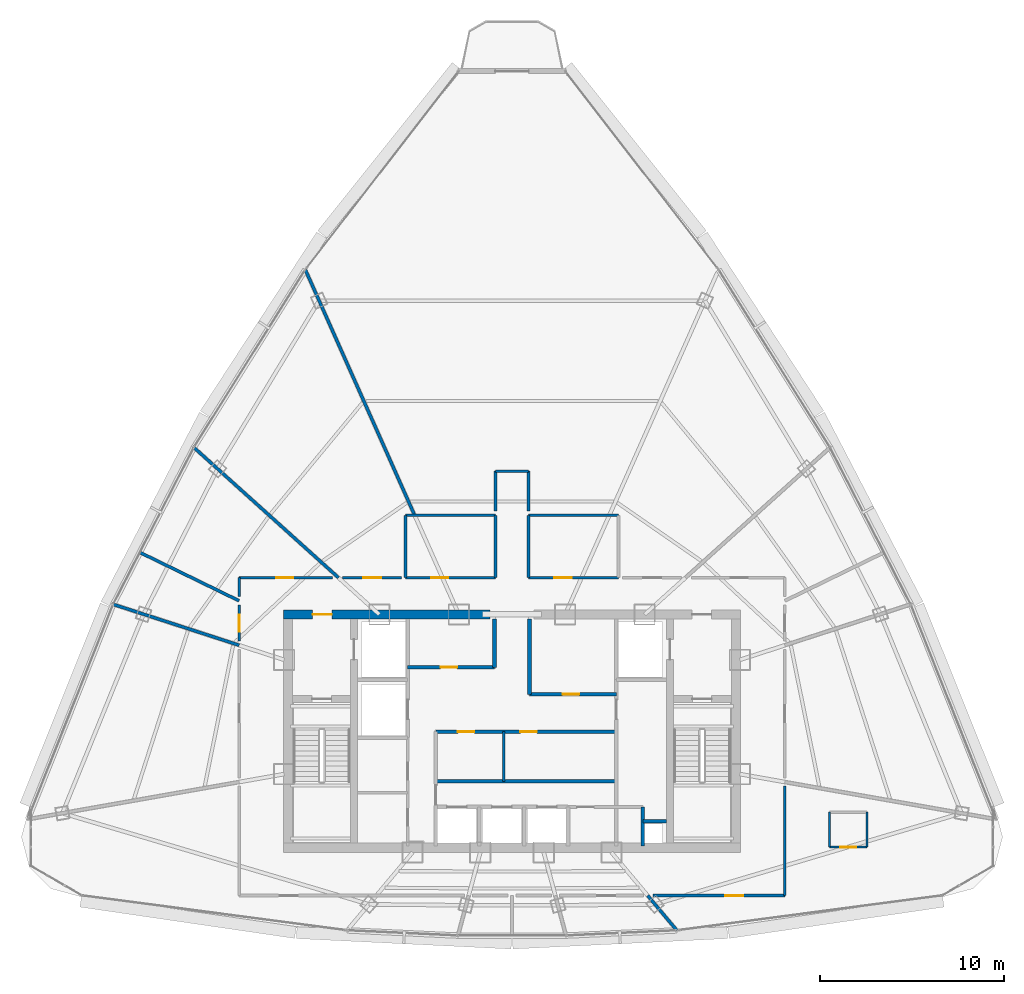
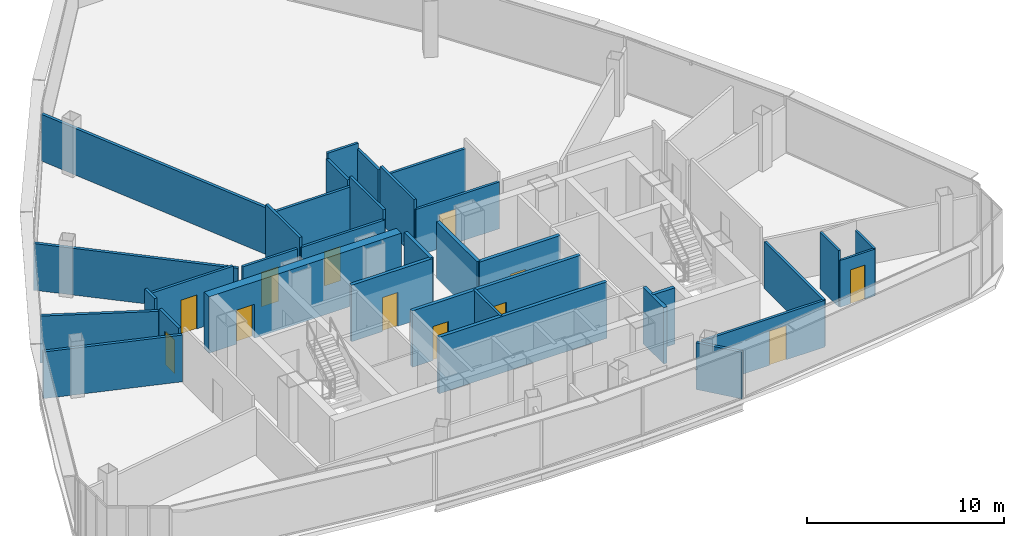
# One storey, part 25 of 29: 34 walls, 12 doors, 12 openings.
"""IFC4 building model written with IfcOpenShell, lengths in metres."""

from ifc_helpers import new_model, si_unit, direction, frame, frame_2d, origin, origin_with_axes, place, context, subcontext, project, spatial, rectangle, extrude, source, transform, mapped, material, layer, layer_set, type_object, element, fill, save


model = new_model("IFC4")

# Units and contexts
model_context = context("Model", 3, precision=1e-05, world=origin(), true_north=direction((0.0, 1.0)))
body_context = subcontext(model_context, "Body", "Model", "MODEL_VIEW")
ifc_project = project(units=[si_unit("LENGTHUNIT", "METRE"), si_unit("AREAUNIT", "SQUARE_METRE"), si_unit("VOLUMEUNIT", "CUBIC_METRE"), si_unit("PLANEANGLEUNIT", "RADIAN"), si_unit("MASSUNIT", "GRAM", prefix="KILO"), si_unit("THERMODYNAMICTEMPERATUREUNIT", "KELVIN"), si_unit("POWERUNIT", "WATT")], contexts=[model_context])

# Site, building, storey
site_placement = place(None, origin())
site = spatial("IfcSite", under=ifc_project, at=site_placement, CompositionType="ELEMENT")
building_placement = place(site_placement, origin())
building = spatial("IfcBuilding", under=site, at=building_placement, Name="Yunzhuo Pagoda Commons", CompositionType="ELEMENT")
storey_placement = place(building_placement, frame((0.0, 0.0, 359.260009765625)))
storey = spatial("IfcBuildingStorey", under=building, at=storey_placement, Name="L90", CompositionType="ELEMENT", Elevation=359.260009765625)

# Wall, opening, door
ifc_material_1 = material(Name="Concrete C50", Category="concrete")
ifc_layer_1 = layer(ifc_material_1, 0.5)
ifc_layer_set_1 = layer_set([ifc_layer_1], Name="Concrete C50")
wall_type_1 = type_object("IfcWallType", Name="W-C03 Upper Core Shear Wall 500", PredefinedType="SHEAR", material=ifc_layer_set_1)
wall_1_placement = place(storey_placement, frame((35.550048828125, 40.199951171875, 0.0), z_axis=(0.0, 0.0, 1.0), x_axis=(1.0, 0.0, 0.0)))
wall_1 = element("IfcWall", 1, at=wall_1_placement, inside=storey, type_object=wall_type_1, Name="L90 core shear wall NW", PredefinedType="SHEAR", context=body_context, shape_type="SweptSolid", body=[
    extrude(rectangle(XDim=11.25, YDim=0.5, at=frame_2d((5.625, 0.0))), origin(), (0.0, 0.0, 1.0), 3.489990234375),
])
opening_1_placement = place(wall_1_placement, frame((1.60009765625, 0.0, 0.0)))
opening_1 = element("IfcOpeningElement", 2, at=opening_1_placement, cuts=wall_1, Name="Opening D-02", PredefinedType="OPENING", context=body_context, shape_type="SweptSolid", body=[
    extrude(rectangle(XDim=1.050048828125, YDim=2.10009765625, at=frame_2d((0.52490234375, 1.050048828125))), frame((0.0, 0.260009765625, 0.0), z_axis=(0.0, -1.0, 0.0), x_axis=(1.0, 0.0, 0.0)), (0.0, 0.0, 1.0), 0.52001953125),
])
ifc_material_2 = material(Name="Galvanized fire-resisting metal leaf")
door_type_1 = type_object("IfcDoorType", Name="D-02 Firefighting Lobby & Refuge Fire Door 1050x2100", OperationType="NOTDEFINED", PredefinedType="DOOR", material=ifc_material_2)
shared_shape_1 = source(origin(), body_context, "Body", "SweptSolid", [
    extrude(rectangle(XDim=1.050048828125, YDim=2.10009765625, at=frame_2d((0.52490234375, 1.050048828125))), frame((0.0, 0.02490234375, 0.0), z_axis=(0.0, -1.0, 0.0), x_axis=(1.0, 0.0, 0.0)), (0.0, 0.0, 1.0), 0.050048828125),
])
door_1_placement = place(opening_1_placement, frame((1.050048828125, 0.0, 0.0), z_axis=(0.0, 0.0, 1.0), x_axis=(-1.0, 0.0, 0.0)))
door_1 = element("IfcDoor", 3, at=door_1_placement, inside=storey, type_object=door_type_1, Name="L90 Firefighting Lobby 1 fire door", OperationType="SINGLE_SWING_LEFT", OverallHeight=2.10009765625, OverallWidth=1.050048828125, PredefinedType="DOOR", context=body_context, shape_type="MappedRepresentation", body=[
    mapped(shared_shape_1, transform((0.0, 0.0, 0.0), scale=1.0)),
])
fill(opening_1, door_1)

# Wall
ifc_material_3 = material(Name="Gypsum plasterboard on acoustic stud")
ifc_layer_2 = layer(ifc_material_3, 0.14990234375)
ifc_layer_set_2 = layer_set([ifc_layer_2], Name="Gypsum plasterboard on acoustic stud")
wall_type_2 = type_object("IfcWallType", Name="W-COR3 High-Zone Rated Corridor Wall 150", PredefinedType="PARTITIONING", material=ifc_layer_set_2)
wall_2_placement = place(storey_placement, frame((47.550048828125, 31.1201171875, 0.0), z_axis=(0.0, 0.0, 1.0), x_axis=(0.0, 1.0, 0.0)))
element("IfcWall", 4, at=wall_2_placement, inside=storey, type_object=wall_type_2, Name="L90 interior wall IW-L90-FRMD", PredefinedType="PARTITIONING", context=body_context, shape_type="SweptSolid", body=[
    extrude(rectangle(XDim=2.699951171875, YDim=0.14990234375, at=frame_2d((1.35009765625, 0.0))), origin(), (0.0, 0.0, 1.0), 3.489990234375),
])

# Wall, opening, door
wall_3_placement = place(storey_placement, frame((42.199951171875, 42.199951171875, 0.0), z_axis=(0.0, 0.0, 1.0), x_axis=(1.0, 0.0, 0.0)))
wall_3 = element("IfcWall", 5, at=wall_3_placement, inside=storey, type_object=wall_type_2, Name="L90 interior wall IW-L90-TFWS", PredefinedType="PARTITIONING", context=body_context, shape_type="SweptSolid", body=[
    extrude(rectangle(XDim=4.900146484375, YDim=0.14990234375, at=frame_2d((2.4501953125, 0.0))), origin(), (0.0, 0.0, 1.0), 2.889892578125),
])
opening_2_placement = place(wall_3_placement, frame((1.39990234375, 0.0, 0.0)))
opening_2 = element("IfcOpeningElement", 6, at=opening_2_placement, cuts=wall_3, Name="Opening D-04", PredefinedType="OPENING", context=body_context, shape_type="SweptSolid", body=[
    extrude(rectangle(XDim=0.919921875, YDim=2.10009765625, at=frame_2d((0.4599609375, 1.050048828125))), frame((0.0, 0.0849609375, 0.0), z_axis=(0.0, -1.0, 0.0), x_axis=(1.0, 0.0, 0.0)), (0.0, 0.0, 1.0), 0.169921875),
])
ifc_material_4 = material(Name="Powder-coated aluminium and timber acoustic leaf", Category="wood")
door_type_2 = type_object("IfcDoorType", Name="D-04 Bedroom & Study Interior Door 920x2100", OperationType="NOTDEFINED", PredefinedType="DOOR", material=ifc_material_4)
shared_shape_2 = source(origin(), body_context, "Body", "SweptSolid", [
    extrude(rectangle(XDim=0.919921875, YDim=2.10009765625, at=frame_2d((0.4599609375, 1.050048828125))), frame((0.0, 0.02490234375, 0.0), z_axis=(0.0, -1.0, 0.0), x_axis=(1.0, 0.0, 0.0)), (0.0, 0.0, 1.0), 0.050048828125),
])
door_2_placement = place(opening_2_placement, frame((0.919921875, 0.0, 0.0), z_axis=(0.0, 0.0, 1.0), x_axis=(-1.0, 0.0, 0.0)))
door_2 = element("IfcDoor", 7, at=door_2_placement, inside=storey, type_object=door_type_2, Name="L90 laundry door", OperationType="SINGLE_SWING_LEFT", OverallHeight=2.10009765625, OverallWidth=0.919921875, PredefinedType="DOOR", context=body_context, shape_type="MappedRepresentation", body=[
    mapped(shared_shape_2, transform((0.0, 0.0, 0.0), scale=1.0)),
])
fill(opening_2, door_2)

# Walls
wall_4_placement = place(storey_placement, frame((42.199951171875, 45.60009765625, 0.0), z_axis=(0.0, 0.0, 1.0), x_axis=(1.0, 0.0, 0.0)))
element("IfcWall", 8, at=wall_4_placement, inside=storey, type_object=wall_type_2, Name="L90 interior wall IW-L90-TFWN", PredefinedType="PARTITIONING", context=body_context, shape_type="SweptSolid", body=[
    extrude(rectangle(XDim=4.900146484375, YDim=0.14990234375, at=frame_2d((2.4501953125, 0.0))), origin(), (0.0, 0.0, 1.0), 2.889892578125),
])
for number, where, z_axis, x_axis, name in (
    (9, (42.199951171875, 42.199951171875, 0.0), (0.0, 0.0, 1.0), (0.0, 1.0, 0.0), "L90 interior wall IW-L90-TFWW"),
    (10, (47.10009765625, 42.199951171875, 0.0), (0.0, 0.0, 1.0), (0.0, 1.0, 0.0), "L90 interior wall IW-L90-TFWE"),
):
    element("IfcWall", number, at=place(storey_placement, frame(where, z_axis=z_axis, x_axis=x_axis)), inside=storey, type_object=wall_type_2, Name=name, PredefinedType="PARTITIONING", context=body_context, shape_type="SweptSolid", body=[
        extrude(rectangle(XDim=3.400146484375, YDim=0.14990234375, at=frame_2d((1.7001953125, 0.0))), origin(), (0.0, 0.0, 1.0), 3.489990234375),
    ])

# Wall, opening, door
wall_5_placement = place(storey_placement, frame((48.89990234375, 42.199951171875, 0.0), z_axis=(0.0, 0.0, 1.0), x_axis=(1.0, 0.0, 0.0)))
wall_5 = element("IfcWall", 11, at=wall_5_placement, inside=storey, type_object=wall_type_2, Name="L90 interior wall IW-L90-TFES", PredefinedType="PARTITIONING", context=body_context, shape_type="SweptSolid", body=[
    extrude(rectangle(XDim=4.900146484375, YDim=0.14990234375, at=frame_2d((2.4501953125, 0.0))), origin(), (0.0, 0.0, 1.0), 2.889892578125),
])
opening_3_placement = place(wall_5_placement, frame((1.39990234375, 0.0, 0.0)))
opening_3 = element("IfcOpeningElement", 12, at=opening_3_placement, cuts=wall_5, Name="Opening D-11", PredefinedType="OPENING", context=body_context, shape_type="SweptSolid", body=[
    extrude(rectangle(XDim=0.93994140625, YDim=2.10009765625, at=frame_2d((0.469970703125, 1.050048828125))), frame((0.0, 0.0849609375, 0.0), z_axis=(0.0, -1.0, 0.0), x_axis=(1.0, 0.0, 0.0)), (0.0, 0.0, 1.0), 0.169921875),
])
door_type_3 = type_object("IfcDoorType", Name="D-11 Accessible Washroom Fire Door 940x2100", OperationType="NOTDEFINED", PredefinedType="DOOR", material=ifc_material_2)
shared_shape_3 = source(origin(), body_context, "Body", "SweptSolid", [
    extrude(rectangle(XDim=0.93994140625, YDim=2.10009765625, at=frame_2d((0.469970703125, 1.050048828125))), frame((0.0, 0.02490234375, 0.0), z_axis=(0.0, -1.0, 0.0), x_axis=(1.0, 0.0, 0.0)), (0.0, 0.0, 1.0), 0.050048828125),
])
door_3_placement = place(opening_3_placement, frame((0.93994140625, 0.0, 0.0), z_axis=(0.0, 0.0, 1.0), x_axis=(-1.0, 0.0, 0.0)))
door_3 = element("IfcDoor", 13, at=door_3_placement, inside=storey, type_object=door_type_3, Name="L90 accessible WC door", OperationType="SINGLE_SWING_RIGHT", OverallHeight=2.10009765625, OverallWidth=0.93994140625, PredefinedType="DOOR", context=body_context, shape_type="MappedRepresentation", body=[
    mapped(shared_shape_3, transform((0.0, 0.0, 0.0), scale=1.0)),
])
fill(opening_3, door_3)

# Walls
wall_6_placement = place(storey_placement, frame((48.89990234375, 45.60009765625, 0.0), z_axis=(0.0, 0.0, 1.0), x_axis=(1.0, 0.0, 0.0)))
element("IfcWall", 14, at=wall_6_placement, inside=storey, type_object=wall_type_2, Name="L90 interior wall IW-L90-TFEN", PredefinedType="PARTITIONING", context=body_context, shape_type="SweptSolid", body=[
    extrude(rectangle(XDim=4.900146484375, YDim=0.14990234375, at=frame_2d((2.4501953125, 0.0))), origin(), (0.0, 0.0, 1.0), 2.889892578125),
])
wall_7_placement = place(storey_placement, frame((48.89990234375, 42.199951171875, 0.0), z_axis=(0.0, 0.0, 1.0), x_axis=(0.0, 1.0, 0.0)))
element("IfcWall", 15, at=wall_7_placement, inside=storey, type_object=wall_type_2, Name="L90 interior wall IW-L90-TFEW", PredefinedType="PARTITIONING", context=body_context, shape_type="SweptSolid", body=[
    extrude(rectangle(XDim=3.400146484375, YDim=0.14990234375, at=frame_2d((1.7001953125, 0.0))), origin(), (0.0, 0.0, 1.0), 3.489990234375),
])

# Wall, opening, door
wall_8_placement = place(storey_placement, frame((33.14990234375, 38.75634765625, 0.0), z_axis=(0.0, 0.0, 1.0), x_axis=(0.0, 1.0, 0.0)))
wall_8 = element("IfcWall", 16, at=wall_8_placement, inside=storey, type_object=wall_type_2, Name="L90 interior wall IW-L90-CWL03", PredefinedType="PARTITIONING", context=body_context, shape_type="SweptSolid", body=[
    extrude(rectangle(XDim=1.966552734375, YDim=0.14990234375, at=frame_2d((0.9833984375, 0.0))), origin(), (0.0, 0.0, 1.0), 3.139892578125),
])
opening_4_placement = place(wall_8_placement, frame((0.517578125, 0.0, 0.0)))
opening_4 = element("IfcOpeningElement", 17, at=opening_4_placement, cuts=wall_8, Name="Opening D-12", PredefinedType="OPENING", context=body_context, shape_type="SweptSolid", body=[
    extrude(rectangle(XDim=0.89990234375, YDim=2.080078125, at=frame_2d((0.449951171875, 1.0400390625))), frame((0.0, 0.0849609375, 0.0), z_axis=(0.0, -1.0, 0.0), x_axis=(1.0, 0.0, 0.0)), (0.0, 0.0, 1.0), 0.169921875),
])
door_type_4 = type_object("IfcDoorType", Name="D-12 Quiet Study Interior Door 900x2080", OperationType="NOTDEFINED", PredefinedType="DOOR", material=ifc_material_4)
shared_shape_4 = source(origin(), body_context, "Body", "SweptSolid", [
    extrude(rectangle(XDim=0.89990234375, YDim=2.080078125, at=frame_2d((0.449951171875, 1.0400390625))), frame((0.0, 0.02490234375, 0.0), z_axis=(0.0, -1.0, 0.0), x_axis=(1.0, 0.0, 0.0)), (0.0, 0.0, 1.0), 0.050048828125),
])
door_4_placement = place(opening_4_placement, origin_with_axes())
door_4 = element("IfcDoor", 18, at=door_4_placement, inside=storey, type_object=door_type_4, Name="L90 study lounge 07 door", OperationType="SINGLE_SWING_RIGHT", OverallHeight=2.080078125, OverallWidth=0.89990234375, PredefinedType="DOOR", context=body_context, shape_type="MappedRepresentation", body=[
    mapped(shared_shape_4, transform((0.0, 0.0, 0.0), scale=1.0)),
])
fill(opening_4, door_4)

# Wall
wall_9_placement = place(storey_placement, frame((33.14990234375, 41.1875, 0.0), z_axis=(0.0, 0.0, 1.0), x_axis=(0.0, 1.0, 0.0)))
element("IfcWall", 19, at=wall_9_placement, inside=storey, type_object=wall_type_2, Name="L90 interior wall IW-L90-CWL04", PredefinedType="PARTITIONING", context=body_context, shape_type="SweptSolid", body=[
    extrude(rectangle(XDim=1.012451171875, YDim=0.14990234375, at=frame_2d((0.50634765625, 0.0))), origin(), (0.0, 0.0, 1.0), 3.489990234375),
])

# Wall, opening, door
wall_10_placement = place(storey_placement, frame((33.14990234375, 42.199951171875, 0.0), z_axis=(0.0, 0.0, 1.0), x_axis=(1.0, 0.0, 0.0)))
wall_10 = element("IfcWall", 20, at=wall_10_placement, inside=storey, type_object=wall_type_2, Name="L90 interior wall IW-L90-CWL05", PredefinedType="PARTITIONING", context=body_context, shape_type="SweptSolid", body=[
    extrude(rectangle(XDim=5.0810546875, YDim=0.14990234375, at=frame_2d((2.54052734375, 0.0))), origin(), (0.0, 0.0, 1.0), 3.139892578125),
])
opening_5_placement = place(wall_10_placement, frame((2.014892578125, 0.0, 0.0)))
opening_5 = element("IfcOpeningElement", 21, at=opening_5_placement, cuts=wall_10, Name="Opening D-04", PredefinedType="OPENING", context=body_context, shape_type="SweptSolid", body=[
    extrude(rectangle(XDim=0.919921875, YDim=2.10009765625, at=frame_2d((0.4599609375, 1.050048828125))), frame((0.0, 0.0849609375, 0.0), z_axis=(0.0, -1.0, 0.0), x_axis=(1.0, 0.0, 0.0)), (0.0, 0.0, 1.0), 0.169921875),
])
door_5_placement = place(opening_5_placement, origin_with_axes())
door_5 = element("IfcDoor", 22, at=door_5_placement, inside=storey, type_object=door_type_2, Name="L90 fellow workroom 06 door", OperationType="SINGLE_SWING_LEFT", OverallHeight=2.10009765625, OverallWidth=0.919921875, PredefinedType="DOOR", context=body_context, shape_type="MappedRepresentation", body=[
    mapped(shared_shape_2, transform((0.0, 0.0, 0.0), scale=1.0)),
])
fill(opening_5, door_5)

wall_11_placement = place(storey_placement, frame((38.779541015625, 42.199951171875, 0.0), z_axis=(0.0, 0.0, 1.0), x_axis=(1.0, 0.0, 0.0)))
wall_11 = element("IfcWall", 23, at=wall_11_placement, inside=storey, type_object=wall_type_2, Name="L90 interior wall IW-L90-CWL06", PredefinedType="PARTITIONING", context=body_context, shape_type="SweptSolid", body=[
    extrude(rectangle(XDim=3.200439453125, YDim=0.14990234375, at=frame_2d((1.60009765625, 0.0))), origin(), (0.0, 0.0, 1.0), 2.889892578125),
])
opening_6_placement = place(wall_11_placement, frame((1.12548828125, 0.0, 0.0)))
opening_6 = element("IfcOpeningElement", 24, at=opening_6_placement, cuts=wall_11, Name="Opening D-08", PredefinedType="OPENING", context=body_context, shape_type="SweptSolid", body=[
    extrude(rectangle(XDim=0.97998046875, YDim=2.1201171875, at=frame_2d((0.489990234375, 1.06005859375))), frame((0.0, 0.0849609375, 0.0), z_axis=(0.0, -1.0, 0.0), x_axis=(1.0, 0.0, 0.0)), (0.0, 0.0, 1.0), 0.169921875),
])
door_type_5 = type_object("IfcDoorType", Name="D-08 High-Zone Suite Entrance Fire Door 980x2120", OperationType="NOTDEFINED", PredefinedType="DOOR", material=ifc_material_2)
shared_shape_5 = source(origin(), body_context, "Body", "SweptSolid", [
    extrude(rectangle(XDim=0.97998046875, YDim=2.1201171875, at=frame_2d((0.489990234375, 1.06005859375))), frame((0.0, 0.02490234375, 0.0), z_axis=(0.0, -1.0, 0.0), x_axis=(1.0, 0.0, 0.0)), (0.0, 0.0, 1.0), 0.050048828125),
])
door_6_placement = place(opening_6_placement, origin_with_axes())
door_6 = element("IfcDoor", 25, at=door_6_placement, inside=storey, type_object=door_type_5, Name="L90 unit 05 entrance door", OperationType="SINGLE_SWING_RIGHT", OverallHeight=2.1201171875, OverallWidth=0.97998046875, PredefinedType="DOOR", context=body_context, shape_type="MappedRepresentation", body=[
    mapped(shared_shape_5, transform((0.0, 0.0, 0.0), scale=1.0)),
])
fill(opening_6, door_6)

# Walls
wall_12_placement = place(storey_placement, frame((47.10009765625, 45.820068359375, 0.0), z_axis=(0.0, 0.0, 1.0), x_axis=(0.0, 1.0, 0.0)))
element("IfcWall", 26, at=wall_12_placement, inside=storey, type_object=wall_type_2, Name="L90 interior wall IW-L90-CWL07", PredefinedType="PARTITIONING", context=body_context, shape_type="SweptSolid", body=[
    extrude(rectangle(XDim=2.179931640625, YDim=0.14990234375, at=frame_2d((1.08984375, 0.0))), origin(), (0.0, 0.0, 1.0), 3.139892578125),
])
wall_13_placement = place(storey_placement, frame((47.10009765625, 48.0, 0.0), z_axis=(0.0, 0.0, 1.0), x_axis=(1.0, 0.0, 0.0)))
element("IfcWall", 27, at=wall_13_placement, inside=storey, type_object=wall_type_2, Name="L90 interior wall IW-L90-CWL08", PredefinedType="PARTITIONING", context=body_context, shape_type="SweptSolid", body=[
    extrude(rectangle(XDim=1.7998046875, YDim=0.14990234375, at=frame_2d((0.89990234375, 0.0))), origin(), (0.0, 0.0, 1.0), 3.489990234375),
])
wall_14_placement = place(storey_placement, frame((48.89990234375, 48.0, 0.0), z_axis=(0.0, 0.0, 1.0), x_axis=(0.0, -1.0, 0.0)))
element("IfcWall", 28, at=wall_14_placement, inside=storey, type_object=wall_type_2, Name="L90 interior wall IW-L90-CWL09", PredefinedType="PARTITIONING", context=body_context, shape_type="SweptSolid", body=[
    extrude(rectangle(XDim=2.179931640625, YDim=0.14990234375, at=frame_2d((1.08984375, 0.0))), origin(), (0.0, 0.0, 1.0), 3.139892578125),
])
wall_15_placement = place(storey_placement, frame((62.85009765625, 30.858154296875, 0.0), z_axis=(0.0, 0.0, 1.0), x_axis=(0.0, -1.0, 0.0)))
element("IfcWall", 29, at=wall_15_placement, inside=storey, type_object=wall_type_2, Name="L90 interior wall IW-L90-CWL15", PredefinedType="PARTITIONING", context=body_context, shape_type="SweptSolid", body=[
    extrude(rectangle(XDim=5.958251953125, YDim=0.14990234375, at=frame_2d((2.97900390625, 0.0))), origin(), (0.0, 0.0, 1.0), 2.889892578125),
])

# Wall, opening, door
wall_16_placement = place(storey_placement, frame((62.85009765625, 24.89990234375, 0.0), z_axis=(0.0, 0.0, 1.0), x_axis=(-1.0, 0.0, 0.0)))
wall_16 = element("IfcWall", 30, at=wall_16_placement, inside=storey, type_object=wall_type_2, Name="L90 interior wall IW-L90-CWL16", PredefinedType="PARTITIONING", context=body_context, shape_type="SweptSolid", body=[
    extrude(rectangle(XDim=7.1787109375, YDim=0.14990234375, at=frame_2d((3.58935546875, 0.0))), origin(), (0.0, 0.0, 1.0), 2.889892578125),
])
opening_7_placement = place(wall_16_placement, frame((2.250244140625, 0.0, 0.0)))
opening_7 = element("IfcOpeningElement", 31, at=opening_7_placement, cuts=wall_16, Name="Opening D-08", PredefinedType="OPENING", context=body_context, shape_type="SweptSolid", body=[
    extrude(rectangle(XDim=0.97998046875, YDim=2.1201171875, at=frame_2d((0.489990234375, 1.06005859375))), frame((0.0, 0.0849609375, 0.0), z_axis=(0.0, -1.0, 0.0), x_axis=(1.0, 0.0, 0.0)), (0.0, 0.0, 1.0), 0.169921875),
])
door_7_placement = place(opening_7_placement, origin_with_axes())
door_7 = element("IfcDoor", 32, at=door_7_placement, inside=storey, type_object=door_type_5, Name="L90 unit 11 entrance door", OperationType="SINGLE_SWING_RIGHT", OverallHeight=2.1201171875, OverallWidth=0.97998046875, PredefinedType="DOOR", context=body_context, shape_type="MappedRepresentation", body=[
    mapped(shared_shape_5, transform((0.0, 0.0, 0.0), scale=1.0)),
])
fill(opening_7, door_7)

ifc_layer_3 = layer(ifc_material_3, 0.1201171875)
ifc_layer_set_3 = layer_set([ifc_layer_3], Name="Gypsum plasterboard on acoustic stud")
wall_type_3 = type_object("IfcWallType", Name="W-PRT1 Suite & Bathroom Partition 120", PredefinedType="PARTITIONING", material=ifc_layer_set_3)
wall_17_placement = place(storey_placement, frame((65.27490234375, 27.5400390625, 0.0), z_axis=(0.0, 0.0, 1.0), x_axis=(1.0, 0.0, 0.0)))
wall_17 = element("IfcWall", 33, at=wall_17_placement, inside=storey, type_object=wall_type_3, Name="L90 interior wall IW-L90-B11S", PredefinedType="PARTITIONING", context=body_context, shape_type="SweptSolid", body=[
    extrude(rectangle(XDim=2.050048828125, YDim=0.1201171875, at=frame_2d((1.02490234375, 0.0))), origin(), (0.0, 0.0, 1.0), 2.889892578125),
])
opening_8_placement = place(wall_17_placement, frame((0.60009765625, 0.0, 0.0)))
opening_8 = element("IfcOpeningElement", 34, at=opening_8_placement, cuts=wall_17, Name="Opening D-05", PredefinedType="OPENING", context=body_context, shape_type="SweptSolid", body=[
    extrude(rectangle(XDim=0.85009765625, YDim=2.10009765625, at=frame_2d((0.425048828125, 1.050048828125))), frame((0.0, 0.070068359375, 0.0), z_axis=(0.0, -1.0, 0.0), x_axis=(1.0, 0.0, 0.0)), (0.0, 0.0, 1.0), 0.14013671875),
])
door_type_6 = type_object("IfcDoorType", Name="D-05 En-Suite Bathroom Door 850x2100", OperationType="NOTDEFINED", PredefinedType="DOOR", material=ifc_material_4)
shared_shape_6 = source(origin(), body_context, "Body", "SweptSolid", [
    extrude(rectangle(XDim=0.85009765625, YDim=2.10009765625, at=frame_2d((0.425048828125, 1.050048828125))), frame((0.0, 0.02490234375, 0.0), z_axis=(0.0, -1.0, 0.0), x_axis=(1.0, 0.0, 0.0)), (0.0, 0.0, 1.0), 0.050048828125),
])
door_8_placement = place(opening_8_placement, frame((0.85009765625, 0.0, 0.0), z_axis=(0.0, 0.0, 1.0), x_axis=(-1.0, 0.0, 0.0)))
door_8 = element("IfcDoor", 35, at=door_8_placement, inside=storey, type_object=door_type_6, Name="L90 unit 11 bathroom door", OperationType="SINGLE_SWING_RIGHT", OverallHeight=2.10009765625, OverallWidth=0.85009765625, PredefinedType="DOOR", context=body_context, shape_type="MappedRepresentation", body=[
    mapped(shared_shape_6, transform((0.0, 0.0, 0.0), scale=1.0)),
])
fill(opening_8, door_8)

# Walls
wall_18_placement = place(storey_placement, frame((67.324951171875, 27.5400390625, 0.0), z_axis=(0.0, 0.0, 1.0), x_axis=(0.0, 1.0, 0.0)))
element("IfcWall", 36, at=wall_18_placement, inside=storey, type_object=wall_type_3, Name="L90 interior wall IW-L90-B11E", PredefinedType="PARTITIONING", context=body_context, shape_type="SweptSolid", body=[
    extrude(rectangle(XDim=1.89990234375, YDim=0.1201171875, at=frame_2d((0.949951171875, 0.0))), origin(), (0.0, 0.0, 1.0), 2.889892578125),
])
wall_19_placement = place(storey_placement, frame((65.27490234375, 29.43994140625, 0.0), z_axis=(0.0, 0.0, 1.0), x_axis=(0.0, -1.0, 0.0)))
element("IfcWall", 37, at=wall_19_placement, inside=storey, type_object=wall_type_3, Name="L90 interior wall IW-L90-B11W", PredefinedType="PARTITIONING", context=body_context, shape_type="SweptSolid", body=[
    extrude(rectangle(XDim=1.89990234375, YDim=0.1201171875, at=frame_2d((0.949951171875, 0.0))), origin(), (0.0, 0.0, 1.0), 3.489990234375),
])
ifc_layer_4 = layer(ifc_material_3, 0.169921875)
ifc_layer_set_4 = layer_set([ifc_layer_4], Name="Gypsum plasterboard on acoustic stud")
wall_type_4 = type_object("IfcWallType", Name="W-PRT4 High-Zone Demising Wall 170", PredefinedType="PARTITIONING", material=ifc_layer_set_4)
wall_20_placement = place(storey_placement, frame((42.701904296875, 45.60009765625, 0.0), z_axis=(0.0, 0.0, 1.0), x_axis=(-0.406749951551, 0.913539532212, 0.0)))
element("IfcWall", 38, at=wall_20_placement, inside=storey, type_object=wall_type_4, Name="L90 interior wall IW-L90-RAD04", PredefinedType="PARTITIONING", context=body_context, shape_type="SweptSolid", body=[
    extrude(rectangle(XDim=14.63037109375, YDim=0.169921875, at=frame_2d((7.315185546875, 0.0))), origin(), (0.0, 0.0, 1.0), 2.889892578125),
])
wall_21_placement = place(storey_placement, frame((38.559814453125, 42.199951171875, 0.0), z_axis=(0.0, 0.0, 1.0), x_axis=(-0.743152066897, 0.66912256386, 0.0)))
element("IfcWall", 39, at=wall_21_placement, inside=storey, type_object=wall_type_4, Name="L90 interior wall IW-L90-RAD05", PredefinedType="PARTITIONING", context=body_context, shape_type="SweptSolid", body=[
    extrude(rectangle(XDim=10.59619140625, YDim=0.169921875, at=frame_2d((5.298095703125, 0.0))), origin(), (0.0, 0.0, 1.0), 2.889892578125),
])
wall_22_placement = place(storey_placement, frame((33.14990234375, 40.94287109375, 0.0), z_axis=(0.0, 0.0, 1.0), x_axis=(-0.898803189206, 0.438352400557, 0.0)))
element("IfcWall", 40, at=wall_22_placement, inside=storey, type_object=wall_type_4, Name="L90 interior wall IW-L90-RAD06", PredefinedType="PARTITIONING", context=body_context, shape_type="SweptSolid", body=[
    extrude(rectangle(XDim=6.010009765625, YDim=0.169921875, at=frame_2d((3.0048828125, 0.0))), origin(), (0.0, 0.0, 1.0), 2.889892578125),
])
wall_23_placement = place(storey_placement, frame((33.14990234375, 38.525146484375, 0.0), z_axis=(0.0, 0.0, 1.0), x_axis=(-0.951060950279, 0.309003347644, 0.0)))
element("IfcWall", 41, at=wall_23_placement, inside=storey, type_object=wall_type_4, Name="L90 interior wall IW-L90-RAD07", PredefinedType="PARTITIONING", context=body_context, shape_type="SweptSolid", body=[
    extrude(rectangle(XDim=7.207275390625, YDim=0.169921875, at=frame_2d((3.603515625, 0.0))), origin(), (0.0, 0.0, 1.0), 2.889892578125),
])
wall_24_placement = place(storey_placement, frame((55.384033203125, 24.89990234375, 0.0), z_axis=(0.0, 0.0, 1.0), x_axis=(0.642821604445, -0.766015916844, 0.0)))
element("IfcWall", 42, at=wall_24_placement, inside=storey, type_object=wall_type_4, Name="L90 interior wall IW-L90-RAD12", PredefinedType="PARTITIONING", context=body_context, shape_type="SweptSolid", body=[
    extrude(rectangle(XDim=2.47314453125, YDim=0.169921875, at=frame_2d((1.236572265625, 0.0))), origin(), (0.0, 0.0, 1.0), 2.889892578125),
])

# Wall, opening, door
ifc_material_5 = material(Name="Concrete C40", Category="concrete")
ifc_layer_5 = layer(ifc_material_5, 0.199951171875)
ifc_layer_set_5 = layer_set([ifc_layer_5], Name="Concrete C40")
wall_type_5 = type_object("IfcWallType", Name="W-SHF Shaft & Stair Enclosure Wall 200", PredefinedType="SOLIDWALL", material=ifc_layer_set_5)
wall_25_placement = place(storey_placement, frame((42.320068359375, 37.320068359375, 0.0), z_axis=(0.0, 0.0, 1.0), x_axis=(1.0, 0.0, 0.0)))
wall_25 = element("IfcWall", 43, at=wall_25_placement, inside=storey, type_object=wall_type_5, Name="L90 interior wall IW-L90-LBNW", PredefinedType="SOLIDWALL", context=body_context, shape_type="SweptSolid", body=[
    extrude(rectangle(XDim=4.72998046875, YDim=0.199951171875, at=frame_2d((2.364990234375, 0.0))), origin(), (0.0, 0.0, 1.0), 3.489990234375),
])
opening_9_placement = place(wall_25_placement, frame((1.800048828125, 0.0, 0.0)))
opening_9 = element("IfcOpeningElement", 44, at=opening_9_placement, cuts=wall_25, Name="Opening D-03", PredefinedType="OPENING", context=body_context, shape_type="SweptSolid", body=[
    extrude(rectangle(XDim=0.89990234375, YDim=2.10009765625, at=frame_2d((0.449951171875, 1.050048828125))), frame((0.0, 0.10986328125, 0.0), z_axis=(0.0, -1.0, 0.0), x_axis=(1.0, 0.0, 0.0)), (0.0, 0.0, 1.0), 0.219970703125),
])
door_type_7 = type_object("IfcDoorType", Name="D-03 Core Service Fire Door 900x2100", OperationType="NOTDEFINED", PredefinedType="DOOR", material=ifc_material_2)
shared_shape_7 = source(origin(), body_context, "Body", "SweptSolid", [
    extrude(rectangle(XDim=0.89990234375, YDim=2.10009765625, at=frame_2d((0.449951171875, 1.050048828125))), frame((0.0, 0.02490234375, 0.0), z_axis=(0.0, -1.0, 0.0), x_axis=(1.0, 0.0, 0.0)), (0.0, 0.0, 1.0), 0.050048828125),
])
door_9_placement = place(opening_9_placement, frame((0.89990234375, 0.0, 0.0), z_axis=(0.0, 0.0, 1.0), x_axis=(-1.0, 0.0, 0.0)))
door_9 = element("IfcDoor", 45, at=door_9_placement, inside=storey, type_object=door_type_7, Name="L90 core west store door", OperationType="SINGLE_SWING_LEFT", OverallHeight=2.10009765625, OverallWidth=0.89990234375, PredefinedType="DOOR", context=body_context, shape_type="MappedRepresentation", body=[
    mapped(shared_shape_7, transform((0.0, 0.0, 0.0), scale=1.0)),
])
fill(opening_9, door_9)

wall_26_placement = place(storey_placement, frame((48.949951171875, 35.85009765625, 0.0), z_axis=(0.0, 0.0, 1.0), x_axis=(1.0, 0.0, 0.0)))
wall_26 = element("IfcWall", 46, at=wall_26_placement, inside=storey, type_object=wall_type_5, Name="L90 interior wall IW-L90-LBNE", PredefinedType="SOLIDWALL", context=body_context, shape_type="SweptSolid", body=[
    extrude(rectangle(XDim=4.72998046875, YDim=0.199951171875, at=frame_2d((2.364990234375, 0.0))), origin(), (0.0, 0.0, 1.0), 3.489990234375),
])
opening_10_placement = place(wall_26_placement, frame((1.800048828125, 0.0, 0.0)))
opening_10 = element("IfcOpeningElement", 47, at=opening_10_placement, cuts=wall_26, Name="Opening D-03", PredefinedType="OPENING", context=body_context, shape_type="SweptSolid", body=[
    extrude(rectangle(XDim=0.89990234375, YDim=2.10009765625, at=frame_2d((0.449951171875, 1.050048828125))), frame((0.0, 0.10986328125, 0.0), z_axis=(0.0, -1.0, 0.0), x_axis=(1.0, 0.0, 0.0)), (0.0, 0.0, 1.0), 0.219970703125),
])
door_10_placement = place(opening_10_placement, frame((0.89990234375, 0.0, 0.0), z_axis=(0.0, 0.0, 1.0), x_axis=(-1.0, 0.0, 0.0)))
door_10 = element("IfcDoor", 48, at=door_10_placement, inside=storey, type_object=door_type_7, Name="L90 core east store door", OperationType="SINGLE_SWING_RIGHT", OverallHeight=2.10009765625, OverallWidth=0.89990234375, PredefinedType="DOOR", context=body_context, shape_type="MappedRepresentation", body=[
    mapped(shared_shape_7, transform((0.0, 0.0, 0.0), scale=1.0)),
])
fill(opening_10, door_10)

# Walls
wall_27_placement = place(storey_placement, frame((47.050048828125, 37.320068359375, 0.0), z_axis=(0.0, 0.0, 1.0), x_axis=(0.0, 1.0, 0.0)))
element("IfcWall", 49, at=wall_27_placement, inside=storey, type_object=wall_type_5, Name="L90 interior wall IW-L90-THRW", PredefinedType="SOLIDWALL", context=body_context, shape_type="SweptSolid", body=[
    extrude(rectangle(XDim=2.6298828125, YDim=0.199951171875, at=frame_2d((1.31494140625, 0.0))), origin(), (0.0, 0.0, 1.0), 3.489990234375),
])
wall_28_placement = place(storey_placement, frame((48.949951171875, 35.85009765625, 0.0), z_axis=(0.0, 0.0, 1.0), x_axis=(0.0, 1.0, 0.0)))
element("IfcWall", 50, at=wall_28_placement, inside=storey, type_object=wall_type_5, Name="L90 interior wall IW-L90-THRE", PredefinedType="SOLIDWALL", context=body_context, shape_type="SweptSolid", body=[
    extrude(rectangle(XDim=4.099853515625, YDim=0.199951171875, at=frame_2d((2.0498046875, 0.0))), origin(), (0.0, 0.0, 1.0), 3.489990234375),
])

# Wall, openings, doors
wall_29_placement = place(storey_placement, frame((43.85009765625, 33.820068359375, 0.0), z_axis=(0.0, 0.0, 1.0), x_axis=(1.0, 0.0, 0.0)))
wall_29 = element("IfcWall", 51, at=wall_29_placement, inside=storey, type_object=wall_type_5, Name="L90 interior wall IW-L90-MLBS", PredefinedType="SOLIDWALL", context=body_context, shape_type="SweptSolid", body=[
    extrude(rectangle(XDim=9.829833984375, YDim=0.199951171875, at=frame_2d((4.9150390625, 0.0))), origin(), (0.0, 0.0, 1.0), 3.489990234375),
])
opening_11_placement = place(wall_29_placement, frame((1.199951171875, 0.0, 0.0)))
opening_11 = element("IfcOpeningElement", 52, at=opening_11_placement, cuts=wall_29, Name="Opening D-03", PredefinedType="OPENING", context=body_context, shape_type="SweptSolid", body=[
    extrude(rectangle(XDim=0.89990234375, YDim=2.10009765625, at=frame_2d((0.449951171875, 1.050048828125))), frame((0.0, 0.10986328125, 0.0), z_axis=(0.0, -1.0, 0.0), x_axis=(1.0, 0.0, 0.0)), (0.0, 0.0, 1.0), 0.219970703125),
])
opening_12_placement = place(wall_29_placement, frame((4.60009765625, 0.0, 0.0)))
opening_12 = element("IfcOpeningElement", 53, at=opening_12_placement, cuts=wall_29, Name="Opening D-03", PredefinedType="OPENING", context=body_context, shape_type="SweptSolid", body=[
    extrude(rectangle(XDim=0.89990234375, YDim=2.10009765625, at=frame_2d((0.449951171875, 1.050048828125))), frame((0.0, 0.10986328125, 0.0), z_axis=(0.0, -1.0, 0.0), x_axis=(1.0, 0.0, 0.0)), (0.0, 0.0, 1.0), 0.219970703125),
])
door_11_placement = place(opening_11_placement, origin_with_axes())
door_11 = element("IfcDoor", 54, at=door_11_placement, inside=storey, type_object=door_type_7, Name="L90 core mid-west store door", OperationType="SINGLE_SWING_LEFT", OverallHeight=2.10009765625, OverallWidth=0.89990234375, PredefinedType="DOOR", context=body_context, shape_type="MappedRepresentation", body=[
    mapped(shared_shape_7, transform((0.0, 0.0, 0.0), scale=1.0)),
])
fill(opening_11, door_11)
door_12_placement = place(opening_12_placement, origin_with_axes())
door_12 = element("IfcDoor", 55, at=door_12_placement, inside=storey, type_object=door_type_7, Name="L90 core mid-east store door", OperationType="SINGLE_SWING_RIGHT", OverallHeight=2.10009765625, OverallWidth=0.89990234375, PredefinedType="DOOR", context=body_context, shape_type="MappedRepresentation", body=[
    mapped(shared_shape_7, transform((0.0, 0.0, 0.0), scale=1.0)),
])
fill(opening_12, door_12)

# Walls
wall_30_placement = place(storey_placement, frame((43.85009765625, 31.1201171875, 0.0), z_axis=(0.0, 0.0, 1.0), x_axis=(1.0, 0.0, 0.0)))
element("IfcWall", 56, at=wall_30_placement, inside=storey, type_object=wall_type_5, Name="L90 interior wall IW-L90-PLMS2", PredefinedType="SOLIDWALL", context=body_context, shape_type="SweptSolid", body=[
    extrude(rectangle(XDim=9.829833984375, YDim=0.199951171875, at=frame_2d((4.9150390625, 0.0))), origin(), (0.0, 0.0, 1.0), 3.489990234375),
])
wall_31_placement = place(storey_placement, frame((55.1201171875, 27.60009765625, 0.0), z_axis=(0.0, 0.0, 1.0), x_axis=(0.0, 1.0, 0.0)))
element("IfcWall", 57, at=wall_31_placement, inside=storey, type_object=wall_type_5, Name="L90 interior wall IW-L90-RSHFW", PredefinedType="SOLIDWALL", context=body_context, shape_type="SweptSolid", body=[
    extrude(rectangle(XDim=2.119873046875, YDim=0.199951171875, at=frame_2d((1.06005859375, 0.0))), origin(), (0.0, 0.0, 1.0), 3.489990234375),
])
wall_32_placement = place(storey_placement, frame((55.1201171875, 28.949951171875, 0.0), z_axis=(0.0, 0.0, 1.0), x_axis=(1.0, 0.0, 0.0)))
element("IfcWall", 58, at=wall_32_placement, inside=storey, type_object=wall_type_5, Name="L90 interior wall IW-L90-RSHFN", PredefinedType="SOLIDWALL", context=body_context, shape_type="SweptSolid", body=[
    extrude(rectangle(XDim=1.27978515625, YDim=0.199951171875, at=frame_2d((0.639892578125, 0.0))), origin(), (0.0, 0.0, 1.0), 3.489990234375),
])

save(model, "model.ifc")
